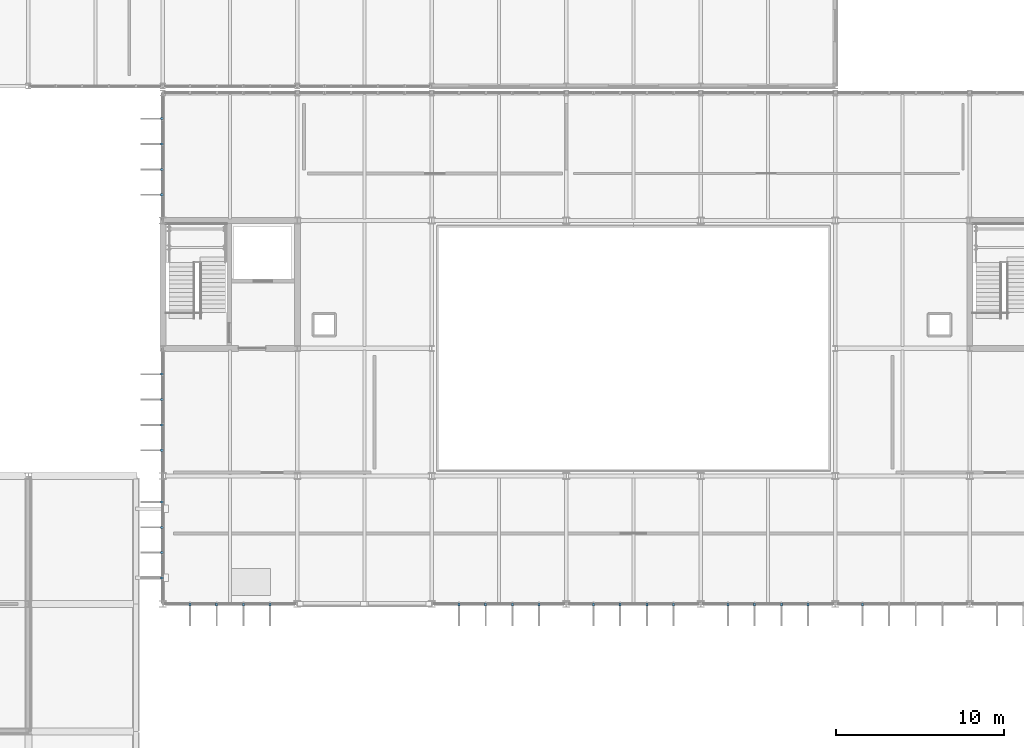
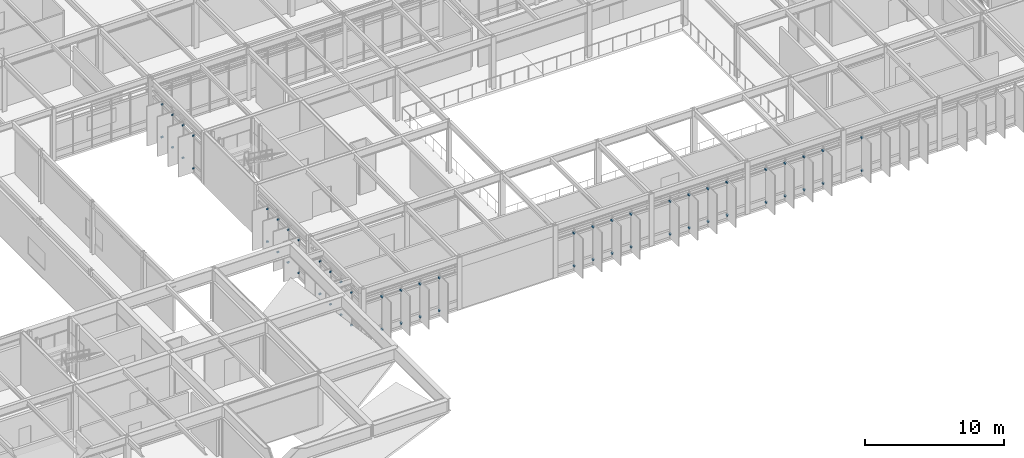
# One storey, part 93 of 104: 58 discrete accessories.
"""IFC4 building model written with IfcOpenShell, lengths in metres."""

from ifc_helpers import new_model, si_unit, direction, frame, origin, origin_2d, place, context, subcontext, project, spatial, rectangle, extrude, material, layer, layer_set, type_object, element, save


model = new_model("IFC4")

# Units and contexts
model_context = context("Model", 3, precision=1e-05, world=origin(), true_north=direction((0.0, 1.0)))
body_context = subcontext(model_context, "Body", "Model", "MODEL_VIEW")
ifc_project = project(units=[si_unit("LENGTHUNIT", "METRE"), si_unit("AREAUNIT", "SQUARE_METRE"), si_unit("VOLUMEUNIT", "CUBIC_METRE"), si_unit("PLANEANGLEUNIT", "RADIAN"), si_unit("MASSUNIT", "GRAM", prefix="KILO")], contexts=[model_context])

# Site, building, storey
site_placement = place(None, origin())
site = spatial("IfcSite", under=ifc_project, at=site_placement, CompositionType="ELEMENT")
building_placement = place(site_placement, origin())
building = spatial("IfcBuilding", under=site, at=building_placement, Name="Zulena Civic Courthouse", CompositionType="ELEMENT")
storey_placement = place(building_placement, frame((0.0, 0.0, 10.800048828125)))
storey = spatial("IfcBuildingStorey", under=building, at=storey_placement, Name="L02", CompositionType="ELEMENT", Elevation=10.800048828125)

# Discrete accessories
ifc_material = material(Name="Gold anodised architectural aluminium AA6063-T6", Category="aluminium")
ifc_layer = layer(ifc_material, 0.1201171875)
ifc_layer_set = layer_set([ifc_layer], Name="Gold anodised architectural aluminium AA6063-T6")
discrete_accessory_type = type_object("IfcDiscreteAccessoryType", Name="FinOutriggerBracket", PredefinedType="BRACKET", material=ifc_layer_set)
for number, where, z_axis, x_axis, name in (
    (1, (67.955078125, 16.738037109375, 0.33984375), (0.0, 0.0, 1.0), (-1.0, 0.0, 0.0), "brk:V4:L02:0:0:1:11.20"),
    (2, (67.955078125, 16.738037109375, 3.22998046875), (0.0, 0.0, 1.0), (-1.0, 0.0, 0.0), "brk:V4:L02:0:0:1:14.09"),
    (3, (67.955078125, 18.24609375, 0.33984375), (0.0, 0.0, 1.0), (-1.0, 0.0, 0.0), "brk:V4:L02:0:0:2:11.20"),
    (4, (67.955078125, 18.24609375, 3.22998046875), (0.0, 0.0, 1.0), (-1.0, 0.0, 0.0), "brk:V4:L02:0:0:2:14.09"),
    (5, (67.955078125, 19.75390625, 0.33984375), (0.0, 0.0, 1.0), (-1.0, 0.0, 0.0), "brk:V4:L02:0:0:3:11.20"),
    (6, (67.955078125, 19.75390625, 3.22998046875), (0.0, 0.0, 1.0), (-1.0, 0.0, 0.0), "brk:V4:L02:0:0:3:14.09"),
    (7, (67.955078125, 21.261962890625, 0.33984375), (0.0, 0.0, 1.0), (-1.0, 0.0, 0.0), "brk:V4:L02:0:0:4:11.20"),
    (8, (67.955078125, 21.261962890625, 3.22998046875), (0.0, 0.0, 1.0), (-1.0, 0.0, 0.0), "brk:V4:L02:0:0:4:14.09"),
    (9, (67.955078125, 24.337890625, 0.33984375), (0.0, 0.0, 1.0), (-1.0, 0.0, 0.0), "brk:V4:L02:0:1:1:11.20"),
    (10, (67.955078125, 24.337890625, 3.22998046875), (0.0, 0.0, 1.0), (-1.0, 0.0, 0.0), "brk:V4:L02:0:1:1:14.09"),
    (11, (67.955078125, 25.845947265625, 0.33984375), (0.0, 0.0, 1.0), (-1.0, 0.0, 0.0), "brk:V4:L02:0:1:2:11.20"),
    (12, (67.955078125, 25.845947265625, 3.22998046875), (0.0, 0.0, 1.0), (-1.0, 0.0, 0.0), "brk:V4:L02:0:1:2:14.09"),
    (13, (67.955078125, 27.35400390625, 0.33984375), (0.0, 0.0, 1.0), (-1.0, 0.0, 0.0), "brk:V4:L02:0:1:3:11.20"),
    (14, (67.955078125, 27.35400390625, 3.22998046875), (0.0, 0.0, 1.0), (-1.0, 0.0, 0.0), "brk:V4:L02:0:1:3:14.09"),
    (15, (67.955078125, 28.862060546875, 0.33984375), (0.0, 0.0, 1.0), (-1.0, 0.0, 0.0), "brk:V4:L02:0:1:4:11.20"),
    (16, (67.955078125, 28.862060546875, 3.22998046875), (0.0, 0.0, 1.0), (-1.0, 0.0, 0.0), "brk:V4:L02:0:1:4:14.09"),
    (17, (67.955078125, 39.5380859375, 0.33984375), (0.0, 0.0, 1.0), (-1.0, 0.0, 0.0), "brk:V4:L02:0:3:1:11.20"),
    (18, (67.955078125, 39.5380859375, 3.22998046875), (0.0, 0.0, 1.0), (-1.0, 0.0, 0.0), "brk:V4:L02:0:3:1:14.09"),
    (19, (67.955078125, 41.0458984375, 0.33984375), (0.0, 0.0, 1.0), (-1.0, 0.0, 0.0), "brk:V4:L02:0:3:2:11.20"),
    (20, (67.955078125, 41.0458984375, 3.22998046875), (0.0, 0.0, 1.0), (-1.0, 0.0, 0.0), "brk:V4:L02:0:3:2:14.09"),
    (21, (67.955078125, 42.553955078125, 0.33984375), (0.0, 0.0, 1.0), (-1.0, 0.0, 0.0), "brk:V4:L02:0:3:3:11.20"),
    (22, (67.955078125, 42.553955078125, 3.22998046875), (0.0, 0.0, 1.0), (-1.0, 0.0, 0.0), "brk:V4:L02:0:3:3:14.09"),
    (23, (67.955078125, 44.06201171875, 0.33984375), (0.0, 0.0, 1.0), (-1.0, 0.0, 0.0), "brk:V4:L02:0:3:4:11.20"),
    (24, (67.955078125, 44.06201171875, 3.22998046875), (0.0, 0.0, 1.0), (-1.0, 0.0, 0.0), "brk:V4:L02:0:3:4:14.09"),
    (25, (109.617919921875, 15.155029296875, 0.33984375), (0.0, 0.0, 1.0), (0.0, -1.0, 0.0), "brk:V4:L02:3:1:4:11.20"),
    (26, (109.617919921875, 15.155029296875, 3.22998046875), (0.0, 0.0, 1.0), (0.0, -1.0, 0.0), "brk:V4:L02:3:1:4:14.09"),
    (27, (106.382080078125, 15.155029296875, 0.33984375), (0.0, 0.0, 1.0), (0.0, -1.0, 0.0), "brk:V4:L02:3:2:1:11.20"),
    (28, (106.382080078125, 15.155029296875, 3.22998046875), (0.0, 0.0, 1.0), (0.0, -1.0, 0.0), "brk:V4:L02:3:2:1:14.09"),
    (29, (104.7939453125, 15.155029296875, 0.33984375), (0.0, 0.0, 1.0), (0.0, -1.0, 0.0), "brk:V4:L02:3:2:2:11.20"),
    (30, (104.7939453125, 15.155029296875, 3.22998046875), (0.0, 0.0, 1.0), (0.0, -1.0, 0.0), "brk:V4:L02:3:2:2:14.09"),
    (31, (103.2060546875, 15.155029296875, 0.33984375), (0.0, 0.0, 1.0), (0.0, -1.0, 0.0), "brk:V4:L02:3:2:3:11.20"),
    (32, (103.2060546875, 15.155029296875, 3.22998046875), (0.0, 0.0, 1.0), (0.0, -1.0, 0.0), "brk:V4:L02:3:2:3:14.09"),
    (33, (101.617919921875, 15.155029296875, 0.33984375), (0.0, 0.0, 1.0), (0.0, -1.0, 0.0), "brk:V4:L02:3:2:4:11.20"),
    (34, (101.617919921875, 15.155029296875, 3.22998046875), (0.0, 0.0, 1.0), (0.0, -1.0, 0.0), "brk:V4:L02:3:2:4:14.09"),
    (35, (98.382080078125, 15.155029296875, 0.33984375), (0.0, 0.0, 1.0), (0.0, -1.0, 0.0), "brk:V4:L02:3:3:1:11.20"),
    (36, (98.382080078125, 15.155029296875, 3.22998046875), (0.0, 0.0, 1.0), (0.0, -1.0, 0.0), "brk:V4:L02:3:3:1:14.09"),
    (37, (96.7939453125, 15.155029296875, 0.33984375), (0.0, 0.0, 1.0), (0.0, -1.0, 0.0), "brk:V4:L02:3:3:2:11.20"),
    (38, (96.7939453125, 15.155029296875, 3.22998046875), (0.0, 0.0, 1.0), (0.0, -1.0, 0.0), "brk:V4:L02:3:3:2:14.09"),
    (39, (95.2060546875, 15.155029296875, 0.33984375), (0.0, 0.0, 1.0), (0.0, -1.0, 0.0), "brk:V4:L02:3:3:3:11.20"),
    (40, (95.2060546875, 15.155029296875, 3.22998046875), (0.0, 0.0, 1.0), (0.0, -1.0, 0.0), "brk:V4:L02:3:3:3:14.09"),
    (41, (93.617919921875, 15.155029296875, 0.33984375), (0.0, 0.0, 1.0), (0.0, -1.0, 0.0), "brk:V4:L02:3:3:4:11.20"),
    (42, (93.617919921875, 15.155029296875, 3.22998046875), (0.0, 0.0, 1.0), (0.0, -1.0, 0.0), "brk:V4:L02:3:3:4:14.09"),
    (43, (90.382080078125, 15.155029296875, 0.33984375), (0.0, 0.0, 1.0), (0.0, -1.0, 0.0), "brk:V4:L02:3:4:1:11.20"),
    (44, (90.382080078125, 15.155029296875, 3.22998046875), (0.0, 0.0, 1.0), (0.0, -1.0, 0.0), "brk:V4:L02:3:4:1:14.09"),
    (45, (88.7939453125, 15.155029296875, 0.33984375), (0.0, 0.0, 1.0), (0.0, -1.0, 0.0), "brk:V4:L02:3:4:2:11.20"),
    (46, (88.7939453125, 15.155029296875, 3.22998046875), (0.0, 0.0, 1.0), (0.0, -1.0, 0.0), "brk:V4:L02:3:4:2:14.09"),
    (47, (87.2060546875, 15.155029296875, 0.33984375), (0.0, 0.0, 1.0), (0.0, -1.0, 0.0), "brk:V4:L02:3:4:3:11.20"),
    (48, (87.2060546875, 15.155029296875, 3.22998046875), (0.0, 0.0, 1.0), (0.0, -1.0, 0.0), "brk:V4:L02:3:4:3:14.09"),
    (49, (85.617919921875, 15.155029296875, 0.33984375), (0.0, 0.0, 1.0), (0.0, -1.0, 0.0), "brk:V4:L02:3:4:4:11.20"),
    (50, (85.617919921875, 15.155029296875, 3.22998046875), (0.0, 0.0, 1.0), (0.0, -1.0, 0.0), "brk:V4:L02:3:4:4:14.09"),
    (51, (74.382080078125, 15.155029296875, 0.33984375), (0.0, 0.0, 1.0), (0.0, -1.0, 0.0), "brk:V4:L02:3:6:1:11.20"),
    (52, (74.382080078125, 15.155029296875, 3.22998046875), (0.0, 0.0, 1.0), (0.0, -1.0, 0.0), "brk:V4:L02:3:6:1:14.09"),
    (53, (72.7939453125, 15.155029296875, 0.33984375), (0.0, 0.0, 1.0), (0.0, -1.0, 0.0), "brk:V4:L02:3:6:2:11.20"),
    (54, (72.7939453125, 15.155029296875, 3.22998046875), (0.0, 0.0, 1.0), (0.0, -1.0, 0.0), "brk:V4:L02:3:6:2:14.09"),
    (55, (71.2060546875, 15.155029296875, 0.33984375), (0.0, 0.0, 1.0), (0.0, -1.0, 0.0), "brk:V4:L02:3:6:3:11.20"),
    (56, (71.2060546875, 15.155029296875, 3.22998046875), (0.0, 0.0, 1.0), (0.0, -1.0, 0.0), "brk:V4:L02:3:6:3:14.09"),
    (57, (69.617919921875, 15.155029296875, 0.33984375), (0.0, 0.0, 1.0), (0.0, -1.0, 0.0), "brk:V4:L02:3:6:4:11.20"),
    (58, (69.617919921875, 15.155029296875, 3.22998046875), (0.0, 0.0, 1.0), (0.0, -1.0, 0.0), "brk:V4:L02:3:6:4:14.09"),
):
    element("IfcDiscreteAccessory", number, at=place(storey_placement, frame(where, z_axis=z_axis, x_axis=x_axis)), inside=storey, type_object=discrete_accessory_type, Name=name, PredefinedType="BRACKET", context=body_context, shape_type="SweptSolid", body=[
        extrude(rectangle(XDim=0.179931640625, YDim=0.1201171875, at=origin_2d()), origin(), (0.0, 0.0, 1.0), 0.1201171875),
    ])

save(model, "model.ifc")
